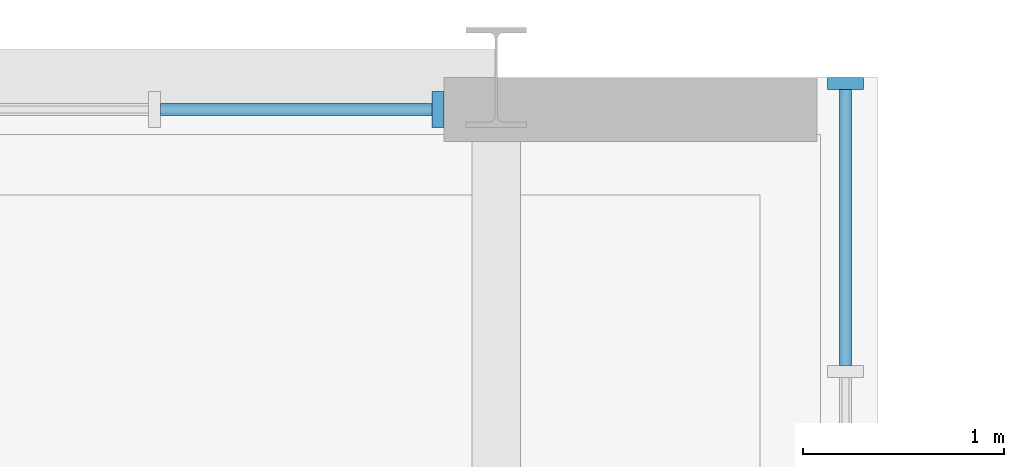
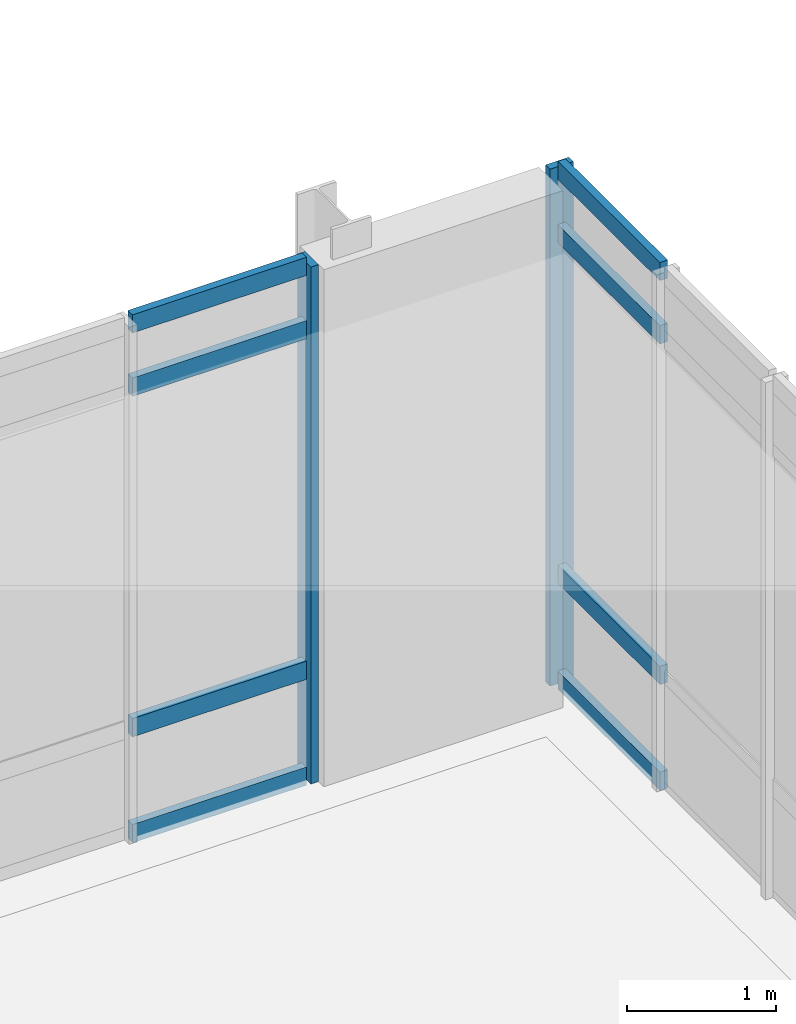
# One storey, part 35 of 100: 10 members, 2 elements without a shape of their own.
"""IFC4 building model written with IfcOpenShell, lengths in metres."""

from ifc_helpers import new_model, si_unit, direction, frame, origin, origin_2d, place, context, subcontext, project, spatial, rectangle, extrude, material, material_profile, profile_set, type_object, element, aggregate, save


model = new_model("IFC4")

# Units and contexts
model_context = context("Model", 3, precision=1e-05, world=origin(), true_north=direction((0.0, 1.0)))
body_context = subcontext(model_context, "Body", "Model", "MODEL_VIEW")
ifc_project = project(units=[si_unit("LENGTHUNIT", "METRE"), si_unit("AREAUNIT", "SQUARE_METRE"), si_unit("VOLUMEUNIT", "CUBIC_METRE"), si_unit("PLANEANGLEUNIT", "RADIAN"), si_unit("MASSUNIT", "GRAM", prefix="KILO")], contexts=[model_context])

# Site, building, storey
site_placement = place(None, origin())
site = spatial("IfcSite", under=ifc_project, at=site_placement, CompositionType="ELEMENT")
building_placement = place(site_placement, origin())
building = spatial("IfcBuilding", under=site, at=building_placement, Name="Cymarion Research Institute", CompositionType="ELEMENT")
storey_placement = place(building_placement, frame((0.0, 0.0, 9.300048828125)))
storey = spatial("IfcBuildingStorey", under=building, at=storey_placement, Name="L02", CompositionType="ELEMENT", Elevation=9.300048828125)

# Curtain wall, member
ifc_material_1 = material(Name="Anodised aluminium unitised curtain wall with Low-E glazing", Category="aluminium")
curtain_wall_type_1 = type_object("IfcCurtainWallType", Name="UNITISED CURTAIN WALL CW08 7320X4250", PredefinedType="NOTDEFINED", material=ifc_material_1)
curtain_wall_1_placement = place(storey_placement, origin())
curtain_wall_1 = element("IfcCurtainWall", 1, at=curtain_wall_1_placement, inside=storey, type_object=curtain_wall_type_1, Name="L02 V2 unitised curtain wall CW08 #82", PredefinedType="NOTDEFINED")
ifc_material_2 = material(Name="Anodised aluminium framing", Category="aluminium")
ifc_material_profile_1 = material_profile(ifc_material_2, rectangle(XDim=0.06005859375, YDim=0.179931640625, at=origin_2d()), Name="ALU MULLION 60x180")
ifc_profile_set_1 = profile_set([ifc_material_profile_1], Name="Anodised aluminium framing")
member_type_1 = type_object("IfcMemberType", Name="CURTAIN WALL MULLION ML01 60X180", PredefinedType="MULLION", material=ifc_profile_set_1)
member_1_placement = place(storey_placement, frame((104.340087890625, 41.469970703125, 0.0), z_axis=(0.0, 0.0, 1.0), x_axis=(0.0, 1.0, 0.0)))
member_1 = element("IfcMember", 2, at=member_1_placement, type_object=member_type_1, Name="CW08 mullion 6", PredefinedType="MULLION", context=body_context, shape_type="SweptSolid", body=[
    extrude(rectangle(XDim=0.06005859375, YDim=0.179931640625, at=origin_2d()), origin(), (0.0, 0.0, 1.0), 4.25),
])

curtain_wall_type_2 = type_object("IfcCurtainWallType", Name="UNITISED CURTAIN WALL CW09 4330X4250", PredefinedType="NOTDEFINED", material=ifc_material_1)
curtain_wall_2_placement = place(storey_placement, origin())
curtain_wall_2 = element("IfcCurtainWall", 3, at=curtain_wall_2_placement, inside=storey, type_object=curtain_wall_type_2, Name="L02 V2 unitised curtain wall CW09 #83", PredefinedType="NOTDEFINED")
member_2_placement = place(storey_placement, frame((102.31005859375, 41.340087890625, 0.0), z_axis=(0.0, 0.0, 1.0), x_axis=(-1.0, 0.0, 0.0)))
member_2 = element("IfcMember", 4, at=member_2_placement, type_object=member_type_1, Name="CW09 mullion 1", PredefinedType="MULLION", context=body_context, shape_type="SweptSolid", body=[
    extrude(rectangle(XDim=0.06005859375, YDim=0.179931640625, at=origin_2d()), origin(), (0.0, 0.0, 1.0), 4.25),
])

# Member
ifc_material_profile_2 = material_profile(ifc_material_2, rectangle(XDim=0.06005859375, YDim=0.14990234375, at=origin_2d()), Name="ALU TRANSOM 60x150")
ifc_profile_set_2 = profile_set([ifc_material_profile_2], Name="Anodised aluminium framing")
member_type_2 = type_object("IfcMemberType", Name="CURTAIN WALL TRANSOM TR01 60X150", PredefinedType="USERDEFINED", material=ifc_profile_set_2)
member_3_placement = place(storey_placement, frame((104.340087890625, 40.06591796875, 0.030029296875), z_axis=(0.0, 1.0, 0.0), x_axis=(-1.0, 0.0, 0.0)))
member_3 = element("IfcMember", 5, at=member_3_placement, type_object=member_type_2, Name="CW08 transom 5.1", ObjectType="TRANSOM", PredefinedType="USERDEFINED", context=body_context, shape_type="SweptSolid", body=[
    extrude(rectangle(XDim=0.06005859375, YDim=0.14990234375, at=origin_2d()), origin(), (0.0, 0.0, 1.0), 1.3740234375),
])

member_4_placement = place(storey_placement, frame((104.340087890625, 40.06591796875, 0.89990234375), z_axis=(0.0, 1.0, 0.0), x_axis=(-1.0, 0.0, 0.0)))
member_4 = element("IfcMember", 6, at=member_4_placement, type_object=member_type_2, Name="CW08 transom 5.2", ObjectType="TRANSOM", PredefinedType="USERDEFINED", context=body_context, shape_type="SweptSolid", body=[
    extrude(rectangle(XDim=0.06005859375, YDim=0.14990234375, at=origin_2d()), origin(), (0.0, 0.0, 1.0), 1.3740234375),
])

member_5_placement = place(storey_placement, frame((104.340087890625, 40.06591796875, 3.699951171875), z_axis=(0.0, 1.0, 0.0), x_axis=(-1.0, 0.0, 0.0)))
member_5 = element("IfcMember", 7, at=member_5_placement, type_object=member_type_2, Name="CW08 transom 5.3", ObjectType="TRANSOM", PredefinedType="USERDEFINED", context=body_context, shape_type="SweptSolid", body=[
    extrude(rectangle(XDim=0.06005859375, YDim=0.14990234375, at=origin_2d()), origin(), (0.0, 0.0, 1.0), 1.3740234375),
])

member_6_placement = place(storey_placement, frame((104.340087890625, 40.06591796875, 4.219970703125), z_axis=(0.0, 1.0, 0.0), x_axis=(-1.0, 0.0, 0.0)))
member_6 = element("IfcMember", 8, at=member_6_placement, type_object=member_type_2, Name="CW08 transom 5.4", ObjectType="TRANSOM", PredefinedType="USERDEFINED", context=body_context, shape_type="SweptSolid", body=[
    extrude(rectangle(XDim=0.06005859375, YDim=0.14990234375, at=origin_2d()), origin(), (0.0, 0.0, 1.0), 1.3740234375),
])

aggregate(curtain_wall_1, [member_1, member_3, member_4, member_5, member_6])

member_7_placement = place(storey_placement, frame((102.280029296875, 41.340087890625, 0.030029296875), z_axis=(-1.0, 0.0, 0.0), x_axis=(0.0, -1.0, 0.0)))
member_7 = element("IfcMember", 9, at=member_7_placement, type_object=member_type_2, Name="CW09 transom 1.1", ObjectType="TRANSOM", PredefinedType="USERDEFINED", context=body_context, shape_type="SweptSolid", body=[
    extrude(rectangle(XDim=0.06005859375, YDim=0.14990234375, at=origin_2d()), origin(), (0.0, 0.0, 1.0), 1.35302734375),
])

member_8_placement = place(storey_placement, frame((102.280029296875, 41.340087890625, 0.89990234375), z_axis=(-1.0, 0.0, 0.0), x_axis=(0.0, -1.0, 0.0)))
member_8 = element("IfcMember", 10, at=member_8_placement, type_object=member_type_2, Name="CW09 transom 1.2", ObjectType="TRANSOM", PredefinedType="USERDEFINED", context=body_context, shape_type="SweptSolid", body=[
    extrude(rectangle(XDim=0.06005859375, YDim=0.14990234375, at=origin_2d()), origin(), (0.0, 0.0, 1.0), 1.35302734375),
])

member_9_placement = place(storey_placement, frame((102.280029296875, 41.340087890625, 3.699951171875), z_axis=(-1.0, 0.0, 0.0), x_axis=(0.0, -1.0, 0.0)))
member_9 = element("IfcMember", 11, at=member_9_placement, type_object=member_type_2, Name="CW09 transom 1.3", ObjectType="TRANSOM", PredefinedType="USERDEFINED", context=body_context, shape_type="SweptSolid", body=[
    extrude(rectangle(XDim=0.06005859375, YDim=0.14990234375, at=origin_2d()), origin(), (0.0, 0.0, 1.0), 1.35302734375),
])

member_10_placement = place(storey_placement, frame((102.280029296875, 41.340087890625, 4.219970703125), z_axis=(-1.0, 0.0, 0.0), x_axis=(0.0, -1.0, 0.0)))
member_10 = element("IfcMember", 12, at=member_10_placement, type_object=member_type_2, Name="CW09 transom 1.4", ObjectType="TRANSOM", PredefinedType="USERDEFINED", context=body_context, shape_type="SweptSolid", body=[
    extrude(rectangle(XDim=0.06005859375, YDim=0.14990234375, at=origin_2d()), origin(), (0.0, 0.0, 1.0), 1.35302734375),
])

aggregate(curtain_wall_2, [member_2, member_7, member_8, member_9, member_10])

save(model, "model.ifc")
